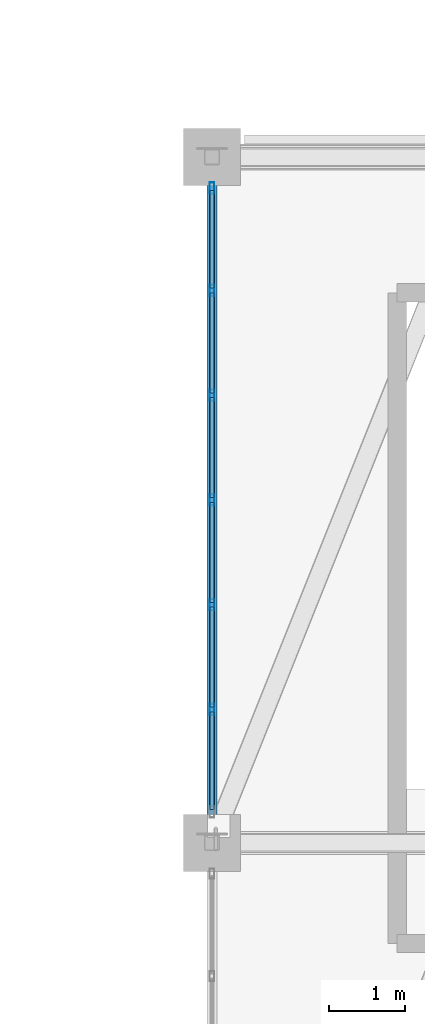
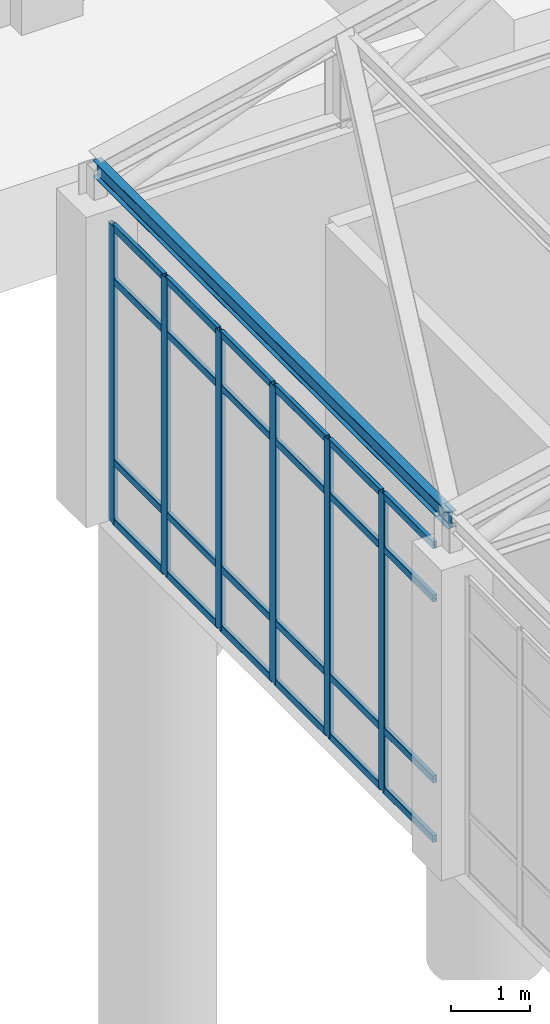
# One storey, part 57 of 139: 31 members, 1 element without a shape of its own.
"""IFC4 building model written with IfcOpenShell, lengths in metres."""

from ifc_helpers import new_model, si_unit, direction, frame, origin, origin_2d, place, context, subcontext, project, spatial, hollow_rectangle, i_section, extrude, material, material_profile, profile_set, type_object, element, aggregate, save


model = new_model("IFC4")

# Units and contexts
model_context = context("Model", 3, precision=1e-05, world=origin(), true_north=direction((0.0, 1.0)))
body_context = subcontext(model_context, "Body", "Model", "MODEL_VIEW")
ifc_project = project(units=[si_unit("LENGTHUNIT", "METRE"), si_unit("AREAUNIT", "SQUARE_METRE"), si_unit("VOLUMEUNIT", "CUBIC_METRE"), si_unit("PLANEANGLEUNIT", "RADIAN"), si_unit("MASSUNIT", "GRAM", prefix="KILO")], contexts=[model_context])

# Site, building, storey
site_placement = place(None, origin())
site = spatial("IfcSite", under=ifc_project, at=site_placement, CompositionType="ELEMENT")
building_placement = place(site_placement, origin())
building = spatial("IfcBuilding", under=site, at=building_placement, Name="Canglan Escarpment Cableway Terminal", CompositionType="ELEMENT")
storey_placement = place(building_placement, frame((0.0, 0.0, 14.39990234375)))
storey = spatial("IfcBuildingStorey", under=building, at=storey_placement, Name="L03", CompositionType="ELEMENT", Elevation=14.39990234375)

# Curtain wall, members
ifc_material_1 = material(Name="Anodized bronze aluminium and Low-E double glazing", Category="aluminium")
curtain_wall_type = type_object("IfcCurtainWallType", Name="CW-BAY-8250x4600", PredefinedType="NOTDEFINED", material=ifc_material_1)
curtain_wall_placement = place(storey_placement, origin())
curtain_wall = element("IfcCurtainWall", 1, at=curtain_wall_placement, inside=storey, type_object=curtain_wall_type, Name="Classical bay-between-piers glazed curtain wall CW-46", PredefinedType="NOTDEFINED")
ifc_material_2 = material(Name="Thermally broken anodized aluminium 6063-T6", Category="aluminium")
ifc_material_profile_1 = material_profile(ifc_material_2, hollow_rectangle(XDim=0.06494140625, YDim=0.14990234375, WallThickness=0.00341796875, InnerFilletRadius=0.00341796875, OuterFilletRadius=0.007080078125, at=origin_2d()), Name="ALU-MULL 65x150x3.5")
ifc_profile_set_1 = profile_set([ifc_material_profile_1], Name="Thermally broken anodized aluminium 6063-T6")
member_type_1 = type_object("IfcMemberType", Name="CWM-02", PredefinedType="MULLION", material=ifc_profile_set_1)
member_1_placement = place(storey_placement, frame((115.10009765625, 78.592529296875, 0.0), z_axis=(0.0, 0.0, 1.0), x_axis=(1.0, 0.0, 0.0)))
member_1 = element("IfcMember", 2, at=member_1_placement, type_object=member_type_1, Name="CW-46 mullion 1", PredefinedType="MULLION", context=body_context, shape_type="SweptSolid", body=[
    extrude(hollow_rectangle(XDim=0.06494140625, YDim=0.14990234375, WallThickness=0.00341796875, InnerFilletRadius=0.00341796875, OuterFilletRadius=0.007080078125, at=origin_2d()), origin(), (0.0, 0.0, 1.0), 4.60009765625),
])
member_2_placement = place(storey_placement, frame((115.10009765625, 77.25, 0.0), z_axis=(0.0, 0.0, 1.0), x_axis=(1.0, 0.0, 0.0)))
member_2 = element("IfcMember", 3, at=member_2_placement, type_object=member_type_1, Name="CW-46 mullion 2", PredefinedType="MULLION", context=body_context, shape_type="SweptSolid", body=[
    extrude(hollow_rectangle(XDim=0.06494140625, YDim=0.14990234375, WallThickness=0.00341796875, InnerFilletRadius=0.00341796875, OuterFilletRadius=0.007080078125, at=origin_2d()), origin(), (0.0, 0.0, 1.0), 4.60009765625),
])
member_3_placement = place(storey_placement, frame((115.10009765625, 75.875, 0.0), z_axis=(0.0, 0.0, 1.0), x_axis=(1.0, 0.0, 0.0)))
member_3 = element("IfcMember", 4, at=member_3_placement, type_object=member_type_1, Name="CW-46 mullion 3", PredefinedType="MULLION", context=body_context, shape_type="SweptSolid", body=[
    extrude(hollow_rectangle(XDim=0.06494140625, YDim=0.14990234375, WallThickness=0.00341796875, InnerFilletRadius=0.00341796875, OuterFilletRadius=0.007080078125, at=origin_2d()), origin(), (0.0, 0.0, 1.0), 4.60009765625),
])
member_4_placement = place(storey_placement, frame((115.10009765625, 74.5, 0.0), z_axis=(0.0, 0.0, 1.0), x_axis=(1.0, 0.0, 0.0)))
member_4 = element("IfcMember", 5, at=member_4_placement, type_object=member_type_1, Name="CW-46 mullion 4", PredefinedType="MULLION", context=body_context, shape_type="SweptSolid", body=[
    extrude(hollow_rectangle(XDim=0.06494140625, YDim=0.14990234375, WallThickness=0.00341796875, InnerFilletRadius=0.00341796875, OuterFilletRadius=0.007080078125, at=origin_2d()), origin(), (0.0, 0.0, 1.0), 4.60009765625),
])
member_5_placement = place(storey_placement, frame((115.10009765625, 73.125, 0.0), z_axis=(0.0, 0.0, 1.0), x_axis=(1.0, 0.0, 0.0)))
member_5 = element("IfcMember", 6, at=member_5_placement, type_object=member_type_1, Name="CW-46 mullion 5", PredefinedType="MULLION", context=body_context, shape_type="SweptSolid", body=[
    extrude(hollow_rectangle(XDim=0.06494140625, YDim=0.14990234375, WallThickness=0.00341796875, InnerFilletRadius=0.00341796875, OuterFilletRadius=0.007080078125, at=origin_2d()), origin(), (0.0, 0.0, 1.0), 4.60009765625),
])
member_6_placement = place(storey_placement, frame((115.10009765625, 71.75, 0.0), z_axis=(0.0, 0.0, 1.0), x_axis=(1.0, 0.0, 0.0)))
member_6 = element("IfcMember", 7, at=member_6_placement, type_object=member_type_1, Name="CW-46 mullion 6", PredefinedType="MULLION", context=body_context, shape_type="SweptSolid", body=[
    extrude(hollow_rectangle(XDim=0.06494140625, YDim=0.14990234375, WallThickness=0.00341796875, InnerFilletRadius=0.00341796875, OuterFilletRadius=0.007080078125, at=origin_2d()), origin(), (0.0, 0.0, 1.0), 4.60009765625),
])
ifc_material_profile_2 = material_profile(ifc_material_2, hollow_rectangle(XDim=0.06005859375, YDim=0.110107421875, WallThickness=0.0029296875, InnerFilletRadius=0.0029296875, OuterFilletRadius=0.006103515625, at=origin_2d()), Name="ALU-TRAN 60x110x3")
ifc_profile_set_2 = profile_set([ifc_material_profile_2], Name="Thermally broken anodized aluminium 6063-T6")
member_type_2 = type_object("IfcMemberType", Name="CWT-02", PredefinedType="USERDEFINED", material=ifc_profile_set_2)
member_7_placement = place(storey_placement, frame((115.10009765625, 78.56005859375, 0.030029296875), z_axis=(0.0, -1.0, 0.0), x_axis=(1.0, 0.0, 0.0)))
member_7 = element("IfcMember", 8, at=member_7_placement, type_object=member_type_2, Name="CW-46 transom 1.1", ObjectType="TRANSOM", PredefinedType="USERDEFINED", context=body_context, shape_type="SweptSolid", body=[
    extrude(hollow_rectangle(XDim=0.06005859375, YDim=0.110107421875, WallThickness=0.0029296875, InnerFilletRadius=0.0029296875, OuterFilletRadius=0.006103515625, at=origin_2d()), origin(), (0.0, 0.0, 1.0), 1.277587890625),
])
member_8_placement = place(storey_placement, frame((115.10009765625, 78.56005859375, 0.9501953125), z_axis=(0.0, -1.0, 0.0), x_axis=(1.0, 0.0, 0.0)))
member_8 = element("IfcMember", 9, at=member_8_placement, type_object=member_type_2, Name="CW-46 transom 1.2", ObjectType="TRANSOM", PredefinedType="USERDEFINED", context=body_context, shape_type="SweptSolid", body=[
    extrude(hollow_rectangle(XDim=0.06005859375, YDim=0.110107421875, WallThickness=0.0029296875, InnerFilletRadius=0.0029296875, OuterFilletRadius=0.006103515625, at=origin_2d()), origin(), (0.0, 0.0, 1.0), 1.277587890625),
])
member_9_placement = place(storey_placement, frame((115.10009765625, 78.56005859375, 3.75), z_axis=(0.0, -1.0, 0.0), x_axis=(1.0, 0.0, 0.0)))
member_9 = element("IfcMember", 10, at=member_9_placement, type_object=member_type_2, Name="CW-46 transom 1.3", ObjectType="TRANSOM", PredefinedType="USERDEFINED", context=body_context, shape_type="SweptSolid", body=[
    extrude(hollow_rectangle(XDim=0.06005859375, YDim=0.110107421875, WallThickness=0.0029296875, InnerFilletRadius=0.0029296875, OuterFilletRadius=0.006103515625, at=origin_2d()), origin(), (0.0, 0.0, 1.0), 1.277587890625),
])
member_10_placement = place(storey_placement, frame((115.10009765625, 78.56005859375, 4.570068359375), z_axis=(0.0, -1.0, 0.0), x_axis=(1.0, 0.0, 0.0)))
member_10 = element("IfcMember", 11, at=member_10_placement, type_object=member_type_2, Name="CW-46 transom 1.4", ObjectType="TRANSOM", PredefinedType="USERDEFINED", context=body_context, shape_type="SweptSolid", body=[
    extrude(hollow_rectangle(XDim=0.06005859375, YDim=0.110107421875, WallThickness=0.0029296875, InnerFilletRadius=0.0029296875, OuterFilletRadius=0.006103515625, at=origin_2d()), origin(), (0.0, 0.0, 1.0), 1.277587890625),
])
member_11_placement = place(storey_placement, frame((115.10009765625, 77.217529296875, 0.030029296875), z_axis=(0.0, -1.0, 0.0), x_axis=(1.0, 0.0, 0.0)))
member_11 = element("IfcMember", 12, at=member_11_placement, type_object=member_type_2, Name="CW-46 transom 2.1", ObjectType="TRANSOM", PredefinedType="USERDEFINED", context=body_context, shape_type="SweptSolid", body=[
    extrude(hollow_rectangle(XDim=0.06005859375, YDim=0.110107421875, WallThickness=0.0029296875, InnerFilletRadius=0.0029296875, OuterFilletRadius=0.006103515625, at=origin_2d()), origin(), (0.0, 0.0, 1.0), 1.31005859375),
])
member_12_placement = place(storey_placement, frame((115.10009765625, 77.217529296875, 0.9501953125), z_axis=(0.0, -1.0, 0.0), x_axis=(1.0, 0.0, 0.0)))
member_12 = element("IfcMember", 13, at=member_12_placement, type_object=member_type_2, Name="CW-46 transom 2.2", ObjectType="TRANSOM", PredefinedType="USERDEFINED", context=body_context, shape_type="SweptSolid", body=[
    extrude(hollow_rectangle(XDim=0.06005859375, YDim=0.110107421875, WallThickness=0.0029296875, InnerFilletRadius=0.0029296875, OuterFilletRadius=0.006103515625, at=origin_2d()), origin(), (0.0, 0.0, 1.0), 1.31005859375),
])
member_13_placement = place(storey_placement, frame((115.10009765625, 77.217529296875, 3.75), z_axis=(0.0, -1.0, 0.0), x_axis=(1.0, 0.0, 0.0)))
member_13 = element("IfcMember", 14, at=member_13_placement, type_object=member_type_2, Name="CW-46 transom 2.3", ObjectType="TRANSOM", PredefinedType="USERDEFINED", context=body_context, shape_type="SweptSolid", body=[
    extrude(hollow_rectangle(XDim=0.06005859375, YDim=0.110107421875, WallThickness=0.0029296875, InnerFilletRadius=0.0029296875, OuterFilletRadius=0.006103515625, at=origin_2d()), origin(), (0.0, 0.0, 1.0), 1.31005859375),
])
member_14_placement = place(storey_placement, frame((115.10009765625, 77.217529296875, 4.570068359375), z_axis=(0.0, -1.0, 0.0), x_axis=(1.0, 0.0, 0.0)))
member_14 = element("IfcMember", 15, at=member_14_placement, type_object=member_type_2, Name="CW-46 transom 2.4", ObjectType="TRANSOM", PredefinedType="USERDEFINED", context=body_context, shape_type="SweptSolid", body=[
    extrude(hollow_rectangle(XDim=0.06005859375, YDim=0.110107421875, WallThickness=0.0029296875, InnerFilletRadius=0.0029296875, OuterFilletRadius=0.006103515625, at=origin_2d()), origin(), (0.0, 0.0, 1.0), 1.31005859375),
])
member_15_placement = place(storey_placement, frame((115.10009765625, 75.842529296875, 0.030029296875), z_axis=(0.0, -1.0, 0.0), x_axis=(1.0, 0.0, 0.0)))
member_15 = element("IfcMember", 16, at=member_15_placement, type_object=member_type_2, Name="CW-46 transom 3.1", ObjectType="TRANSOM", PredefinedType="USERDEFINED", context=body_context, shape_type="SweptSolid", body=[
    extrude(hollow_rectangle(XDim=0.06005859375, YDim=0.110107421875, WallThickness=0.0029296875, InnerFilletRadius=0.0029296875, OuterFilletRadius=0.006103515625, at=origin_2d()), origin(), (0.0, 0.0, 1.0), 1.31005859375),
])
member_16_placement = place(storey_placement, frame((115.10009765625, 75.842529296875, 0.9501953125), z_axis=(0.0, -1.0, 0.0), x_axis=(1.0, 0.0, 0.0)))
member_16 = element("IfcMember", 17, at=member_16_placement, type_object=member_type_2, Name="CW-46 transom 3.2", ObjectType="TRANSOM", PredefinedType="USERDEFINED", context=body_context, shape_type="SweptSolid", body=[
    extrude(hollow_rectangle(XDim=0.06005859375, YDim=0.110107421875, WallThickness=0.0029296875, InnerFilletRadius=0.0029296875, OuterFilletRadius=0.006103515625, at=origin_2d()), origin(), (0.0, 0.0, 1.0), 1.31005859375),
])
member_17_placement = place(storey_placement, frame((115.10009765625, 75.842529296875, 3.75), z_axis=(0.0, -1.0, 0.0), x_axis=(1.0, 0.0, 0.0)))
member_17 = element("IfcMember", 18, at=member_17_placement, type_object=member_type_2, Name="CW-46 transom 3.3", ObjectType="TRANSOM", PredefinedType="USERDEFINED", context=body_context, shape_type="SweptSolid", body=[
    extrude(hollow_rectangle(XDim=0.06005859375, YDim=0.110107421875, WallThickness=0.0029296875, InnerFilletRadius=0.0029296875, OuterFilletRadius=0.006103515625, at=origin_2d()), origin(), (0.0, 0.0, 1.0), 1.31005859375),
])
member_18_placement = place(storey_placement, frame((115.10009765625, 75.842529296875, 4.570068359375), z_axis=(0.0, -1.0, 0.0), x_axis=(1.0, 0.0, 0.0)))
member_18 = element("IfcMember", 19, at=member_18_placement, type_object=member_type_2, Name="CW-46 transom 3.4", ObjectType="TRANSOM", PredefinedType="USERDEFINED", context=body_context, shape_type="SweptSolid", body=[
    extrude(hollow_rectangle(XDim=0.06005859375, YDim=0.110107421875, WallThickness=0.0029296875, InnerFilletRadius=0.0029296875, OuterFilletRadius=0.006103515625, at=origin_2d()), origin(), (0.0, 0.0, 1.0), 1.31005859375),
])
member_19_placement = place(storey_placement, frame((115.10009765625, 74.467529296875, 0.030029296875), z_axis=(0.0, -1.0, 0.0), x_axis=(1.0, 0.0, 0.0)))
member_19 = element("IfcMember", 20, at=member_19_placement, type_object=member_type_2, Name="CW-46 transom 4.1", ObjectType="TRANSOM", PredefinedType="USERDEFINED", context=body_context, shape_type="SweptSolid", body=[
    extrude(hollow_rectangle(XDim=0.06005859375, YDim=0.110107421875, WallThickness=0.0029296875, InnerFilletRadius=0.0029296875, OuterFilletRadius=0.006103515625, at=origin_2d()), origin(), (0.0, 0.0, 1.0), 1.31005859375),
])
member_20_placement = place(storey_placement, frame((115.10009765625, 74.467529296875, 0.9501953125), z_axis=(0.0, -1.0, 0.0), x_axis=(1.0, 0.0, 0.0)))
member_20 = element("IfcMember", 21, at=member_20_placement, type_object=member_type_2, Name="CW-46 transom 4.2", ObjectType="TRANSOM", PredefinedType="USERDEFINED", context=body_context, shape_type="SweptSolid", body=[
    extrude(hollow_rectangle(XDim=0.06005859375, YDim=0.110107421875, WallThickness=0.0029296875, InnerFilletRadius=0.0029296875, OuterFilletRadius=0.006103515625, at=origin_2d()), origin(), (0.0, 0.0, 1.0), 1.31005859375),
])
member_21_placement = place(storey_placement, frame((115.10009765625, 74.467529296875, 3.75), z_axis=(0.0, -1.0, 0.0), x_axis=(1.0, 0.0, 0.0)))
member_21 = element("IfcMember", 22, at=member_21_placement, type_object=member_type_2, Name="CW-46 transom 4.3", ObjectType="TRANSOM", PredefinedType="USERDEFINED", context=body_context, shape_type="SweptSolid", body=[
    extrude(hollow_rectangle(XDim=0.06005859375, YDim=0.110107421875, WallThickness=0.0029296875, InnerFilletRadius=0.0029296875, OuterFilletRadius=0.006103515625, at=origin_2d()), origin(), (0.0, 0.0, 1.0), 1.31005859375),
])
member_22_placement = place(storey_placement, frame((115.10009765625, 74.467529296875, 4.570068359375), z_axis=(0.0, -1.0, 0.0), x_axis=(1.0, 0.0, 0.0)))
member_22 = element("IfcMember", 23, at=member_22_placement, type_object=member_type_2, Name="CW-46 transom 4.4", ObjectType="TRANSOM", PredefinedType="USERDEFINED", context=body_context, shape_type="SweptSolid", body=[
    extrude(hollow_rectangle(XDim=0.06005859375, YDim=0.110107421875, WallThickness=0.0029296875, InnerFilletRadius=0.0029296875, OuterFilletRadius=0.006103515625, at=origin_2d()), origin(), (0.0, 0.0, 1.0), 1.31005859375),
])
member_23_placement = place(storey_placement, frame((115.10009765625, 73.092529296875, 0.030029296875), z_axis=(0.0, -1.0, 0.0), x_axis=(1.0, 0.0, 0.0)))
member_23 = element("IfcMember", 24, at=member_23_placement, type_object=member_type_2, Name="CW-46 transom 5.1", ObjectType="TRANSOM", PredefinedType="USERDEFINED", context=body_context, shape_type="SweptSolid", body=[
    extrude(hollow_rectangle(XDim=0.06005859375, YDim=0.110107421875, WallThickness=0.0029296875, InnerFilletRadius=0.0029296875, OuterFilletRadius=0.006103515625, at=origin_2d()), origin(), (0.0, 0.0, 1.0), 1.31005859375),
])
member_24_placement = place(storey_placement, frame((115.10009765625, 73.092529296875, 0.9501953125), z_axis=(0.0, -1.0, 0.0), x_axis=(1.0, 0.0, 0.0)))
member_24 = element("IfcMember", 25, at=member_24_placement, type_object=member_type_2, Name="CW-46 transom 5.2", ObjectType="TRANSOM", PredefinedType="USERDEFINED", context=body_context, shape_type="SweptSolid", body=[
    extrude(hollow_rectangle(XDim=0.06005859375, YDim=0.110107421875, WallThickness=0.0029296875, InnerFilletRadius=0.0029296875, OuterFilletRadius=0.006103515625, at=origin_2d()), origin(), (0.0, 0.0, 1.0), 1.31005859375),
])
member_25_placement = place(storey_placement, frame((115.10009765625, 73.092529296875, 3.75), z_axis=(0.0, -1.0, 0.0), x_axis=(1.0, 0.0, 0.0)))
member_25 = element("IfcMember", 26, at=member_25_placement, type_object=member_type_2, Name="CW-46 transom 5.3", ObjectType="TRANSOM", PredefinedType="USERDEFINED", context=body_context, shape_type="SweptSolid", body=[
    extrude(hollow_rectangle(XDim=0.06005859375, YDim=0.110107421875, WallThickness=0.0029296875, InnerFilletRadius=0.0029296875, OuterFilletRadius=0.006103515625, at=origin_2d()), origin(), (0.0, 0.0, 1.0), 1.31005859375),
])
member_26_placement = place(storey_placement, frame((115.10009765625, 73.092529296875, 4.570068359375), z_axis=(0.0, -1.0, 0.0), x_axis=(1.0, 0.0, 0.0)))
member_26 = element("IfcMember", 27, at=member_26_placement, type_object=member_type_2, Name="CW-46 transom 5.4", ObjectType="TRANSOM", PredefinedType="USERDEFINED", context=body_context, shape_type="SweptSolid", body=[
    extrude(hollow_rectangle(XDim=0.06005859375, YDim=0.110107421875, WallThickness=0.0029296875, InnerFilletRadius=0.0029296875, OuterFilletRadius=0.006103515625, at=origin_2d()), origin(), (0.0, 0.0, 1.0), 1.31005859375),
])
member_27_placement = place(storey_placement, frame((115.10009765625, 71.717529296875, 0.030029296875), z_axis=(0.0, -1.0, 0.0), x_axis=(1.0, 0.0, 0.0)))
member_27 = element("IfcMember", 28, at=member_27_placement, type_object=member_type_2, Name="CW-46 transom 6.1", ObjectType="TRANSOM", PredefinedType="USERDEFINED", context=body_context, shape_type="SweptSolid", body=[
    extrude(hollow_rectangle(XDim=0.06005859375, YDim=0.110107421875, WallThickness=0.0029296875, InnerFilletRadius=0.0029296875, OuterFilletRadius=0.006103515625, at=origin_2d()), origin(), (0.0, 0.0, 1.0), 1.277587890625),
])
member_28_placement = place(storey_placement, frame((115.10009765625, 71.717529296875, 0.9501953125), z_axis=(0.0, -1.0, 0.0), x_axis=(1.0, 0.0, 0.0)))
member_28 = element("IfcMember", 29, at=member_28_placement, type_object=member_type_2, Name="CW-46 transom 6.2", ObjectType="TRANSOM", PredefinedType="USERDEFINED", context=body_context, shape_type="SweptSolid", body=[
    extrude(hollow_rectangle(XDim=0.06005859375, YDim=0.110107421875, WallThickness=0.0029296875, InnerFilletRadius=0.0029296875, OuterFilletRadius=0.006103515625, at=origin_2d()), origin(), (0.0, 0.0, 1.0), 1.277587890625),
])
member_29_placement = place(storey_placement, frame((115.10009765625, 71.717529296875, 3.75), z_axis=(0.0, -1.0, 0.0), x_axis=(1.0, 0.0, 0.0)))
member_29 = element("IfcMember", 30, at=member_29_placement, type_object=member_type_2, Name="CW-46 transom 6.3", ObjectType="TRANSOM", PredefinedType="USERDEFINED", context=body_context, shape_type="SweptSolid", body=[
    extrude(hollow_rectangle(XDim=0.06005859375, YDim=0.110107421875, WallThickness=0.0029296875, InnerFilletRadius=0.0029296875, OuterFilletRadius=0.006103515625, at=origin_2d()), origin(), (0.0, 0.0, 1.0), 1.277587890625),
])
member_30_placement = place(storey_placement, frame((115.10009765625, 71.717529296875, 4.570068359375), z_axis=(0.0, -1.0, 0.0), x_axis=(1.0, 0.0, 0.0)))
member_30 = element("IfcMember", 31, at=member_30_placement, type_object=member_type_2, Name="CW-46 transom 6.4", ObjectType="TRANSOM", PredefinedType="USERDEFINED", context=body_context, shape_type="SweptSolid", body=[
    extrude(hollow_rectangle(XDim=0.06005859375, YDim=0.110107421875, WallThickness=0.0029296875, InnerFilletRadius=0.0029296875, OuterFilletRadius=0.006103515625, at=origin_2d()), origin(), (0.0, 0.0, 1.0), 1.277587890625),
])
aggregate(curtain_wall, [member_1, member_2, member_3, member_4, member_5, member_6, member_7, member_8, member_9, member_10, member_11, member_12, member_13, member_14, member_15, member_16, member_17, member_18, member_19, member_20, member_21, member_22, member_23, member_24, member_25, member_26, member_27, member_28, member_29, member_30])

# Member
ifc_material_3 = material(Name="Steel Q355B", Category="steel")
ifc_material_profile_3 = material_profile(ifc_material_3, i_section(OverallWidth=0.125, OverallDepth=0.25, WebThickness=0.006103515625, FlangeThickness=0.009033203125, FilletRadius=0.011962890625, at=origin_2d()), Name="HN 250x125x6x9")
ifc_profile_set_3 = profile_set([ifc_material_profile_3], Name="Steel Q355B")
member_type_3 = type_object("IfcMemberType", Name="MB-GARAGE-PUR-HN250", PredefinedType="PURLIN", material=ifc_profile_set_3)
member_31_placement = place(storey_placement, frame((115.10009765625, 70.0, 5.22998046875), z_axis=(0.0, 1.0, 0.0), x_axis=(-1.0, 0.0, 0.0)))
element("IfcMember", 32, at=member_31_placement, inside=storey, type_object=member_type_3, Name="Cabin Garage roof purlin PR-02", PredefinedType="PURLIN", context=body_context, shape_type="SweptSolid", body=[
    extrude(i_section(OverallWidth=0.125, OverallDepth=0.25, WebThickness=0.006103515625, FlangeThickness=0.009033203125, FilletRadius=0.011962890625, at=origin_2d()), origin(), (0.0, 0.0, 1.0), 9.0),
])

save(model, "model.ifc")
